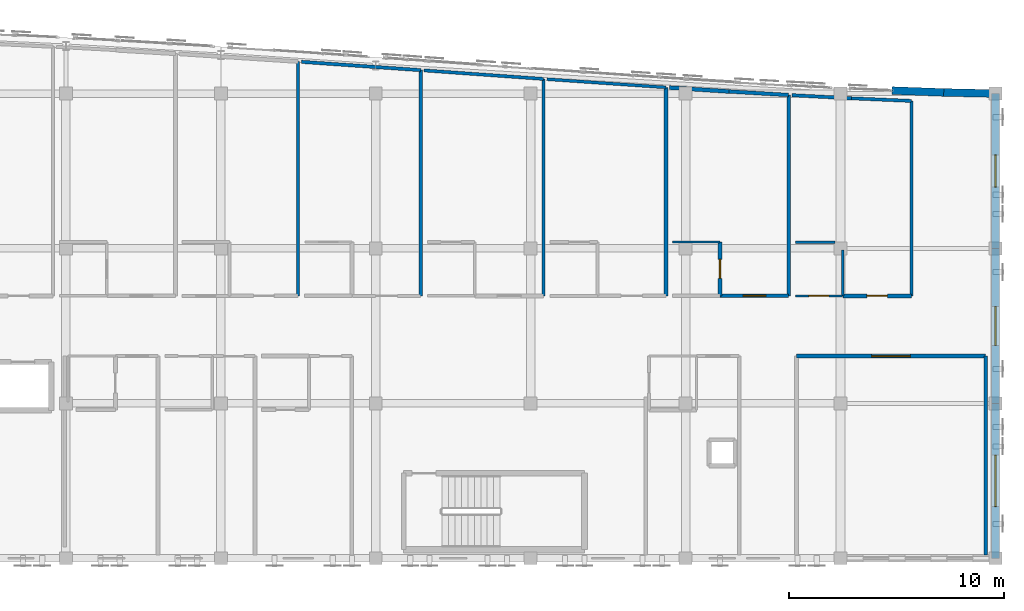
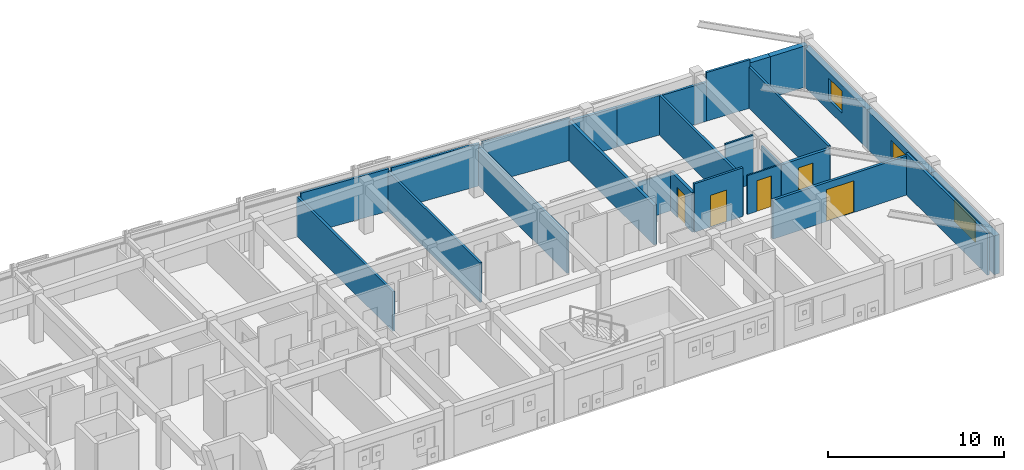
# One storey, part 46 of 51: 27 walls, 5 doors, 3 windows, 8 openings.
"""IFC4 building model written with IfcOpenShell, lengths in metres."""

from ifc_helpers import new_model, si_unit, direction, frame, frame_2d, origin, place, context, subcontext, project, spatial, rectangle, extrude, material, layer, layer_set, type_object, element, fill, save


model = new_model("IFC4")

# Units and contexts
model_context = context("Model", 3, precision=1e-05, world=origin(), true_north=direction((0.0, 1.0)))
body_context = subcontext(model_context, "Body", "Model", "MODEL_VIEW")
ifc_project = project(units=[si_unit("LENGTHUNIT", "METRE"), si_unit("AREAUNIT", "SQUARE_METRE"), si_unit("VOLUMEUNIT", "CUBIC_METRE"), si_unit("PLANEANGLEUNIT", "RADIAN"), si_unit("MASSUNIT", "GRAM", prefix="KILO")], contexts=[model_context])

# Site, building, storey
site_placement = place(None, origin())
site = spatial("IfcSite", under=ifc_project, at=site_placement, CompositionType="ELEMENT")
building_placement = place(site_placement, origin())
building = spatial("IfcBuilding", under=site, at=building_placement, Name="Carrowvane Square Congress Hotel", CompositionType="ELEMENT")
storey_placement = place(building_placement, frame((0.0, 0.0, 30.0)))
storey = spatial("IfcBuildingStorey", under=building, at=storey_placement, Name="L07", CompositionType="ELEMENT", Elevation=30.0)

# Walls
ifc_material_1 = material(Name="Glazed terracotta rainscreen", Category="masonry")
ifc_layer_1 = layer(ifc_material_1, 0.360107421875)
ifc_layer_set_1 = layer_set([ifc_layer_1], Name="Glazed terracotta rainscreen")
wall_type_1 = type_object("IfcWallType", Name="WL-EXT-TC360", PredefinedType="STANDARD", material=ifc_layer_set_1)
wall_1_placement = place(storey_placement, frame((158.0, 113.541015625, 0.0), z_axis=(0.0, 0.0, 1.0), x_axis=(0.99930757318, -0.037207179225, 0.0)))
element("IfcWall", 1, at=wall_1_placement, inside=storey, type_object=wall_type_1, Name="L07 exterior facade wall 509", PredefinedType="STANDARD", context=body_context, shape_type="SweptSolid", body=[
    extrude(rectangle(XDim=2.401611328125, YDim=0.360107421875, at=frame_2d((1.20068359375, 0.0))), origin(), (0.0, 0.0, 1.0), 2.8603515625),
])
wall_2_placement = place(storey_placement, frame((160.39990234375, 113.45166015625, 0.0), z_axis=(0.0, 0.0, 1.0), x_axis=(0.999767568547, -0.021559426766, 0.0)))
element("IfcWall", 2, at=wall_2_placement, inside=storey, type_object=wall_type_1, Name="L07 exterior facade wall 510", PredefinedType="STANDARD", context=body_context, shape_type="SweptSolid", body=[
    extrude(rectangle(XDim=2.400634765625, YDim=0.360107421875, at=frame_2d((1.2001953125, 0.0))), origin(), (0.0, 0.0, 1.0), 2.8603515625),
])

# Wall, opening, window
wall_3_placement = place(storey_placement, frame((162.800048828125, 113.39990234375, 0.0), z_axis=(0.0, 0.0, 1.0), x_axis=(0.0, -1.0, 0.0)))
wall_3 = element("IfcWall", 3, at=wall_3_placement, inside=storey, type_object=wall_type_1, Name="L07 exterior facade wall 511", PredefinedType="STANDARD", context=body_context, shape_type="SweptSolid", body=[
    extrude(rectangle(XDim=7.199951171875, YDim=0.360107421875, at=frame_2d((3.60009765625, 0.0))), origin(), (0.0, 0.0, 1.0), 2.695068359375),
])
opening_1_placement = place(wall_3_placement, frame((2.85009765625, 0.0, 0.75)))
opening_1 = element("IfcOpeningElement", 4, at=opening_1_placement, cuts=wall_3, Name="Opening W-15", PredefinedType="OPENING", context=body_context, shape_type="SweptSolid", body=[
    extrude(rectangle(XDim=1.5, YDim=1.5, at=frame_2d((0.75, 0.75))), frame((0.0, 0.18994140625, 0.0), z_axis=(0.0, -1.0, 0.0), x_axis=(1.0, 0.0, 0.0)), (0.0, 0.0, 1.0), 0.380126953125),
])
ifc_material_2 = material(Name="Double-glazed low-E glass", Category="glass")
window_type_1 = type_object("IfcWindowType", Name="WIN-15", PartitioningType="SINGLE_PANEL", PredefinedType="WINDOW", material=ifc_material_2)
window_1_placement = place(opening_1_placement, origin())
window_1 = element("IfcWindow", 5, at=window_1_placement, inside=storey, type_object=window_type_1, Name="L07 facade window 343", OverallHeight=1.5, OverallWidth=1.5, PartitioningType="SINGLE_PANEL", PredefinedType="WINDOW", context=body_context, shape_type="SweptSolid", body=[
    extrude(rectangle(XDim=1.5, YDim=1.5, at=frame_2d((0.75, 0.75))), frame((0.0, 0.030029296875, 0.0), z_axis=(0.0, -1.0, 0.0), x_axis=(1.0, 0.0, 0.0)), (0.0, 0.0, 1.0), 0.06005859375),
])
fill(opening_1, window_1)

wall_4_placement = place(storey_placement, frame((162.800048828125, 106.199951171875, 0.0), z_axis=(0.0, 0.0, 1.0), x_axis=(0.0, -1.0, 0.0)))
wall_4 = element("IfcWall", 6, at=wall_4_placement, inside=storey, type_object=wall_type_1, Name="L07 exterior facade wall 512", PredefinedType="STANDARD", context=body_context, shape_type="SweptSolid", body=[
    extrude(rectangle(XDim=7.199951171875, YDim=0.360107421875, at=frame_2d((3.60009765625, 0.0))), origin(), (0.0, 0.0, 1.0), 2.695068359375),
])
opening_2_placement = place(wall_4_placement, frame((2.699951171875, 0.0, 0.75)))
opening_2 = element("IfcOpeningElement", 7, at=opening_2_placement, cuts=wall_4, Name="Opening W-16", PredefinedType="OPENING", context=body_context, shape_type="SweptSolid", body=[
    extrude(rectangle(XDim=1.800048828125, YDim=1.5, at=frame_2d((0.89990234375, 0.75))), frame((0.0, 0.18994140625, 0.0), z_axis=(0.0, -1.0, 0.0), x_axis=(1.0, 0.0, 0.0)), (0.0, 0.0, 1.0), 0.380126953125),
])
ifc_material_3 = material(Name="Double-glazed low-E glass", Category="glass")
window_type_2 = type_object("IfcWindowType", Name="WIN-16", PartitioningType="SINGLE_PANEL", PredefinedType="WINDOW", material=ifc_material_3)
window_2_placement = place(opening_2_placement, origin())
window_2 = element("IfcWindow", 8, at=window_2_placement, inside=storey, type_object=window_type_2, Name="L07 facade window 344", OverallHeight=1.5, OverallWidth=1.800048828125, PartitioningType="SINGLE_PANEL", PredefinedType="WINDOW", context=body_context, shape_type="SweptSolid", body=[
    extrude(rectangle(XDim=1.800048828125, YDim=1.5, at=frame_2d((0.89990234375, 0.75))), frame((0.0, 0.030029296875, 0.0), z_axis=(0.0, -1.0, 0.0), x_axis=(1.0, 0.0, 0.0)), (0.0, 0.0, 1.0), 0.06005859375),
])
fill(opening_2, window_2)

wall_5_placement = place(storey_placement, frame((162.800048828125, 99.0, 0.0), z_axis=(0.0, 0.0, 1.0), x_axis=(0.0, -1.0, 0.0)))
wall_5 = element("IfcWall", 9, at=wall_5_placement, inside=storey, type_object=wall_type_1, Name="L07 exterior facade wall 513", PredefinedType="STANDARD", context=body_context, shape_type="SweptSolid", body=[
    extrude(rectangle(XDim=7.199951171875, YDim=0.360107421875, at=frame_2d((3.60009765625, 0.0))), origin(), (0.0, 0.0, 1.0), 2.695068359375),
])
opening_3_placement = place(wall_5_placement, frame((2.39990234375, 0.0, 0.75)))
opening_3 = element("IfcOpeningElement", 10, at=opening_3_placement, cuts=wall_5, Name="Opening W-17", PredefinedType="OPENING", context=body_context, shape_type="SweptSolid", body=[
    extrude(rectangle(XDim=2.39990234375, YDim=1.5, at=frame_2d((1.199951171875, 0.75))), frame((0.0, 0.18994140625, 0.0), z_axis=(0.0, -1.0, 0.0), x_axis=(1.0, 0.0, 0.0)), (0.0, 0.0, 1.0), 0.380126953125),
])
ifc_material_4 = material(Name="Double-glazed low-E glass", Category="glass")
window_type_3 = type_object("IfcWindowType", Name="WIN-17", PartitioningType="SINGLE_PANEL", PredefinedType="WINDOW", material=ifc_material_4)
window_3_placement = place(opening_3_placement, origin())
window_3 = element("IfcWindow", 11, at=window_3_placement, inside=storey, type_object=window_type_3, Name="L07 facade window 345", OverallHeight=1.5, OverallWidth=2.39990234375, PartitioningType="SINGLE_PANEL", PredefinedType="WINDOW", context=body_context, shape_type="SweptSolid", body=[
    extrude(rectangle(XDim=2.39990234375, YDim=1.5, at=frame_2d((1.199951171875, 0.75))), frame((0.0, 0.030029296875, 0.0), z_axis=(0.0, -1.0, 0.0), x_axis=(1.0, 0.0, 0.0)), (0.0, 0.0, 1.0), 0.06005859375),
])
fill(opening_3, window_3)

# Walls
ifc_material_5 = material(Name="Acoustic gypsum board", Category="gypsum")
ifc_layer_2 = layer(ifc_material_5, 0.155029296875)
ifc_layer_set_2 = layer_set([ifc_layer_2], Name="Acoustic gypsum board")
wall_type_2 = type_object("IfcWallType", Name="WL-FIR-155", PredefinedType="PARTITIONING", material=ifc_layer_set_2)
wall_6_placement = place(storey_placement, frame((162.35009765625, 101.199951171875, 0.0), z_axis=(0.0, 0.0, 1.0), x_axis=(0.0, -1.0, 0.0)))
element("IfcWall", 12, at=wall_6_placement, inside=storey, type_object=wall_type_2, Name="L07 L07 VIP Concierge Lounge partition", PredefinedType="PARTITIONING", context=body_context, shape_type="SweptSolid", body=[
    extrude(rectangle(XDim=9.239990234375, YDim=0.155029296875, at=frame_2d((4.6201171875, 0.0))), origin(), (0.0, 0.0, 1.0), 2.8603515625),
])
wall_7_placement = place(storey_placement, frame((130.389892578125, 114.885986328125, 0.0), z_axis=(0.0, 0.0, 1.0), x_axis=(0.0, -1.0, 0.0)))
element("IfcWall", 13, at=wall_7_placement, inside=storey, type_object=wall_type_2, Name="L07 Parkview Suite 0723 partition", PredefinedType="PARTITIONING", context=body_context, shape_type="SweptSolid", body=[
    extrude(rectangle(XDim=10.885986328125, YDim=0.155029296875, at=frame_2d((5.44287109375, 0.0))), origin(), (0.0, 0.0, 1.0), 2.7451171875),
])
wall_8_placement = place(storey_placement, frame((130.550048828125, 114.875244140625, 0.0), z_axis=(0.0, 0.0, 1.0), x_axis=(0.997557251982, -0.069853625657, 0.0)))
element("IfcWall", 14, at=wall_8_placement, inside=storey, type_object=wall_type_2, Name="L07 Parkview Suite 0724 partition", PredefinedType="PARTITIONING", context=body_context, shape_type="SweptSolid", body=[
    extrude(rectangle(XDim=5.5537109375, YDim=0.155029296875, at=frame_2d((2.77685546875, 0.0))), origin(), (0.0, 0.0, 1.0), 2.935546875),
])
wall_9_placement = place(storey_placement, frame((153.18994140625, 113.33203125, 0.0), z_axis=(0.0, 0.0, 1.0), x_axis=(0.0, -1.0, 0.0)))
element("IfcWall", 15, at=wall_9_placement, inside=storey, type_object=wall_type_2, Name="L07 Parkview Suite 0727 partition", PredefinedType="PARTITIONING", context=body_context, shape_type="SweptSolid", body=[
    extrude(rectangle(XDim=9.33203125, YDim=0.155029296875, at=frame_2d((4.666015625, 0.0))), origin(), (0.0, 0.0, 1.0), 2.7451171875),
])
wall_10_placement = place(storey_placement, frame((153.35009765625, 113.3232421875, 0.0), z_axis=(0.0, 0.0, 1.0), x_axis=(0.9986369707, -0.052193876575, 0.0)))
element("IfcWall", 16, at=wall_10_placement, inside=storey, type_object=wall_type_2, Name="L07 Parkview Suite 0728 partition", PredefinedType="PARTITIONING", context=body_context, shape_type="SweptSolid", body=[
    extrude(rectangle(XDim=2.773681640625, YDim=0.155029296875, at=frame_2d((1.38671875, 0.0))), origin(), (0.0, 0.0, 1.0), 2.695068359375),
])

# Wall, opening, door
ifc_material_6 = material(Name="Acoustic gypsum board", Category="gypsum")
ifc_layer_3 = layer(ifc_material_6, 0.169921875)
ifc_layer_set_3 = layer_set([ifc_layer_3], Name="Acoustic gypsum board")
wall_type_3 = type_object("IfcWallType", Name="WL-FIR-170", PredefinedType="PARTITIONING", material=ifc_layer_set_3)
wall_11_placement = place(storey_placement, frame((153.550048828125, 101.199951171875, 0.0), z_axis=(0.0, 0.0, 1.0), x_axis=(1.0, 0.0, 0.0)))
wall_11 = element("IfcWall", 17, at=wall_11_placement, inside=storey, type_object=wall_type_3, Name="L07 L07 VIP Concierge Lounge partition", PredefinedType="PARTITIONING", context=body_context, shape_type="SweptSolid", body=[
    extrude(rectangle(XDim=8.800048828125, YDim=0.169921875, at=frame_2d((4.39990234375, 0.0))), origin(), (0.0, 0.0, 1.0), 2.695068359375),
])
opening_4_placement = place(wall_11_placement, frame((3.5, 0.0, 0.0)))
opening_4 = element("IfcOpeningElement", 18, at=opening_4_placement, cuts=wall_11, Name="Opening FD-05", PredefinedType="OPENING", context=body_context, shape_type="SweptSolid", body=[
    extrude(rectangle(XDim=1.800048828125, YDim=2.199951171875, at=frame_2d((0.89990234375, 1.10009765625))), frame((0.0, 0.094970703125, 0.0), z_axis=(0.0, -1.0, 0.0), x_axis=(1.0, 0.0, 0.0)), (0.0, 0.0, 1.0), 0.18994140625),
])
ifc_material_7 = material(Name="European oak timber", Category="wood")
door_type_1 = type_object("IfcDoorType", Name="DR-FD60-1800x2200", OperationType="DOUBLE_DOOR_SINGLE_SWING", PredefinedType="DOOR", material=ifc_material_7)
door_1_placement = place(opening_4_placement, origin())
door_1 = element("IfcDoor", 19, at=door_1_placement, inside=storey, type_object=door_type_1, Name="L07 L07 VIP Concierge Lounge entrance door", OperationType="DOUBLE_DOOR_SINGLE_SWING", OverallHeight=2.199951171875, OverallWidth=1.800048828125, PredefinedType="DOOR", context=body_context, shape_type="SweptSolid", body=[
    extrude(rectangle(XDim=1.800048828125, YDim=2.199951171875, at=frame_2d((0.89990234375, 1.10009765625))), frame((0.0, 0.02490234375, 0.0), z_axis=(0.0, -1.0, 0.0), x_axis=(1.0, 0.0, 0.0)), (0.0, 0.0, 1.0), 0.050048828125),
])
fill(opening_4, door_1)

# Walls
wall_12_placement = place(storey_placement, frame((150.419921875, 113.497314453125, 0.0), z_axis=(0.0, 0.0, 1.0), x_axis=(0.998224568203, -0.059562668136, 0.0)))
element("IfcWall", 20, at=wall_12_placement, inside=storey, type_object=wall_type_3, Name="L07 Parkview Suite 0727 partition", PredefinedType="PARTITIONING", context=body_context, shape_type="SweptSolid", body=[
    extrude(rectangle(XDim=2.77490234375, YDim=0.169921875, at=frame_2d((1.387451171875, 0.0))), origin(), (0.0, 0.0, 1.0), 2.7451171875),
])
ifc_material_8 = material(Name="Acoustic gypsum board", Category="gypsum")
ifc_layer_4 = layer(ifc_material_8, 0.18505859375)
ifc_layer_set_4 = layer_set([ifc_layer_4], Name="Acoustic gypsum board")
wall_type_4 = type_object("IfcWallType", Name="WL-FIR-185", PredefinedType="PARTITIONING", material=ifc_layer_set_4)
wall_13_placement = place(storey_placement, frame((147.489990234375, 113.68603515625, 0.0), z_axis=(0.0, 0.0, 1.0), x_axis=(0.0, -1.0, 0.0)))
element("IfcWall", 21, at=wall_13_placement, inside=storey, type_object=wall_type_4, Name="L07 Parkview Suite 0726 partition", PredefinedType="PARTITIONING", context=body_context, shape_type="SweptSolid", body=[
    extrude(rectangle(XDim=9.68603515625, YDim=0.18505859375, at=frame_2d((4.843017578125, 0.0))), origin(), (0.0, 0.0, 1.0), 2.7451171875),
])

# Wall, opening, door
wall_14_placement = place(storey_placement, frame((150.0, 106.5, 0.0), z_axis=(0.0, 0.0, 1.0), x_axis=(0.0, -1.0, 0.0)))
wall_14 = element("IfcWall", 22, at=wall_14_placement, inside=storey, type_object=wall_type_4, Name="L07 En-suite Bathroom 0727 partition", PredefinedType="PARTITIONING", context=body_context, shape_type="SweptSolid", body=[
    extrude(rectangle(XDim=2.5, YDim=0.18505859375, at=frame_2d((1.25, 0.0))), origin(), (0.0, 0.0, 1.0), 2.7451171875),
])
opening_5_placement = place(wall_14_placement, frame((0.804931640625, 0.0, 0.0)))
opening_5 = element("IfcOpeningElement", 23, at=opening_5_placement, cuts=wall_14, Name="Opening ID-16", PredefinedType="OPENING", context=body_context, shape_type="SweptSolid", body=[
    extrude(rectangle(XDim=0.889892578125, YDim=2.090087890625, at=frame_2d((0.44482421875, 1.044921875))), frame((0.0, 0.1025390625, 0.0), z_axis=(0.0, -1.0, 0.0), x_axis=(1.0, 0.0, 0.0)), (0.0, 0.0, 1.0), 0.205078125),
])
ifc_material_9 = material(Name="European oak timber", Category="wood")
door_type_2 = type_object("IfcDoorType", Name="DR-INT-0890x2090", OperationType="NOTDEFINED", PredefinedType="DOOR", material=ifc_material_9)
door_2_placement = place(opening_5_placement, origin())
door_2 = element("IfcDoor", 24, at=door_2_placement, inside=storey, type_object=door_type_2, Name="L07 En-suite Bathroom 0727 door", OperationType="SINGLE_SWING_LEFT", OverallHeight=2.090087890625, OverallWidth=0.889892578125, PredefinedType="DOOR", context=body_context, shape_type="SweptSolid", body=[
    extrude(rectangle(XDim=0.889892578125, YDim=2.090087890625, at=frame_2d((0.44482421875, 1.044921875))), frame((0.0, 0.02490234375, 0.0), z_axis=(0.0, -1.0, 0.0), x_axis=(1.0, 0.0, 0.0)), (0.0, 0.0, 1.0), 0.050048828125),
])
fill(opening_5, door_2)

# Wall
wall_15_placement = place(storey_placement, frame((147.64990234375, 113.67529296875, 0.0), z_axis=(0.0, 0.0, 1.0), x_axis=(0.997942227438, -0.064119503244, 0.0)))
element("IfcWall", 25, at=wall_15_placement, inside=storey, type_object=wall_type_4, Name="L07 Parkview Suite 0727 partition", PredefinedType="PARTITIONING", context=body_context, shape_type="SweptSolid", body=[
    extrude(rectangle(XDim=2.775634765625, YDim=0.18505859375, at=frame_2d((1.3876953125, 0.0))), origin(), (0.0, 0.0, 1.0), 2.7451171875),
])

# Wall, opening, door
wall_16_placement = place(storey_placement, frame((158.889892578125, 104.0, 0.0), z_axis=(0.0, 0.0, 1.0), x_axis=(-1.0, 0.0, 0.0)))
wall_16 = element("IfcWall", 26, at=wall_16_placement, inside=storey, type_object=wall_type_4, Name="L07 Parkview Suite 0728 partition", PredefinedType="PARTITIONING", context=body_context, shape_type="SweptSolid", body=[
    extrude(rectangle(XDim=3.179931640625, YDim=0.18505859375, at=frame_2d((1.58984375, 0.0))), origin(), (0.0, 0.0, 1.0), 2.695068359375),
])
opening_6_placement = place(wall_16_placement, frame((1.114990234375, 0.0, 0.0)))
opening_6 = element("IfcOpeningElement", 27, at=opening_6_placement, cuts=wall_16, Name="Opening FD-06", PredefinedType="OPENING", context=body_context, shape_type="SweptSolid", body=[
    extrude(rectangle(XDim=0.949951171875, YDim=2.10009765625, at=frame_2d((0.47509765625, 1.050048828125))), frame((0.0, 0.1025390625, 0.0), z_axis=(0.0, -1.0, 0.0), x_axis=(1.0, 0.0, 0.0)), (0.0, 0.0, 1.0), 0.205078125),
])
ifc_material_10 = material(Name="European oak timber", Category="wood")
door_type_3 = type_object("IfcDoorType", Name="DR-FD30-0950x2100", OperationType="NOTDEFINED", PredefinedType="DOOR", material=ifc_material_10)
door_3_placement = place(opening_6_placement, origin())
door_3 = element("IfcDoor", 28, at=door_3_placement, inside=storey, type_object=door_type_3, Name="L07 Parkview Suite 0728 entrance door", OperationType="SINGLE_SWING_RIGHT", OverallHeight=2.10009765625, OverallWidth=0.949951171875, PredefinedType="DOOR", context=body_context, shape_type="SweptSolid", body=[
    extrude(rectangle(XDim=0.949951171875, YDim=2.10009765625, at=frame_2d((0.47509765625, 1.050048828125))), frame((0.0, 0.02490234375, 0.0), z_axis=(0.0, -1.0, 0.0), x_axis=(1.0, 0.0, 0.0)), (0.0, 0.0, 1.0), 0.050048828125),
])
fill(opening_6, door_3)

# Wall
ifc_material_11 = material(Name="Acoustic gypsum board", Category="gypsum")
ifc_layer_5 = layer(ifc_material_11, 0.097900390625)
ifc_layer_set_5 = layer_set([ifc_layer_5], Name="Acoustic gypsum board")
wall_type_5 = type_object("IfcWallType", Name="WL-PRT-098", PredefinedType="PARTITIONING", material=ifc_layer_set_5)
wall_17_placement = place(storey_placement, frame((147.800048828125, 106.5, 0.0), z_axis=(0.0, 0.0, 1.0), x_axis=(1.0, 0.0, 0.0)))
element("IfcWall", 29, at=wall_17_placement, inside=storey, type_object=wall_type_5, Name="L07 En-suite Bathroom 0727 partition", PredefinedType="PARTITIONING", context=body_context, shape_type="SweptSolid", body=[
    extrude(rectangle(XDim=2.199951171875, YDim=0.097900390625, at=frame_2d((1.10009765625, 0.0))), origin(), (0.0, 0.0, 1.0), 2.695068359375),
])

# Wall, opening, door
wall_18_placement = place(storey_placement, frame((155.699951171875, 104.0, 0.0), z_axis=(0.0, 0.0, 1.0), x_axis=(-1.0, 0.0, 0.0)))
wall_18 = element("IfcWall", 30, at=wall_18_placement, inside=storey, type_object=wall_type_5, Name="L07 En-suite Bathroom 0728 partition", PredefinedType="PARTITIONING", context=body_context, shape_type="SweptSolid", body=[
    extrude(rectangle(XDim=2.199951171875, YDim=0.097900390625, at=frame_2d((1.10009765625, 0.0))), origin(), (0.0, 0.0, 1.0), 2.695068359375),
])
opening_7_placement = place(wall_18_placement, frame((0.635009765625, 0.0, 0.0)))
opening_7 = element("IfcOpeningElement", 31, at=opening_7_placement, cuts=wall_18, Name="Opening ID-18", PredefinedType="OPENING", context=body_context, shape_type="SweptSolid", body=[
    extrude(rectangle(XDim=0.929931640625, YDim=2.1298828125, at=frame_2d((0.46484375, 1.06494140625))), frame((0.0, 0.058837890625, 0.0), z_axis=(0.0, -1.0, 0.0), x_axis=(1.0, 0.0, 0.0)), (0.0, 0.0, 1.0), 0.117919921875),
])
ifc_material_12 = material(Name="European oak timber", Category="wood")
door_type_4 = type_object("IfcDoorType", Name="DR-INT-0930x2130", OperationType="NOTDEFINED", PredefinedType="DOOR", material=ifc_material_12)
door_4_placement = place(opening_7_placement, origin())
door_4 = element("IfcDoor", 32, at=door_4_placement, inside=storey, type_object=door_type_4, Name="L07 En-suite Bathroom 0728 door", OperationType="SINGLE_SWING_LEFT", OverallHeight=2.1298828125, OverallWidth=0.929931640625, PredefinedType="DOOR", context=body_context, shape_type="SweptSolid", body=[
    extrude(rectangle(XDim=0.929931640625, YDim=2.1298828125, at=frame_2d((0.46484375, 1.06494140625))), frame((0.0, 0.02490234375, 0.0), z_axis=(0.0, -1.0, 0.0), x_axis=(1.0, 0.0, 0.0)), (0.0, 0.0, 1.0), 0.050048828125),
])
fill(opening_7, door_4)

# Walls
ifc_material_13 = material(Name="Acoustic gypsum board", Category="gypsum")
ifc_layer_6 = layer(ifc_material_13, 0.10791015625)
ifc_layer_set_6 = layer_set([ifc_layer_6], Name="Acoustic gypsum board")
wall_type_6 = type_object("IfcWallType", Name="WL-PRT-108", PredefinedType="PARTITIONING", material=ifc_layer_set_6)
wall_19_placement = place(storey_placement, frame((155.699951171875, 106.139892578125, 0.0), z_axis=(0.0, 0.0, 1.0), x_axis=(0.0, -1.0, 0.0)))
element("IfcWall", 33, at=wall_19_placement, inside=storey, type_object=wall_type_6, Name="L07 En-suite Bathroom 0728 partition", PredefinedType="PARTITIONING", context=body_context, shape_type="SweptSolid", body=[
    extrude(rectangle(XDim=2.139892578125, YDim=0.10791015625, at=frame_2d((1.06982421875, 0.0))), origin(), (0.0, 0.0, 1.0), 2.695068359375),
])
ifc_material_14 = material(Name="Acoustic gypsum board", Category="gypsum")
ifc_layer_7 = layer(ifc_material_14, 0.117919921875)
ifc_layer_set_7 = layer_set([ifc_layer_7], Name="Acoustic gypsum board")
wall_type_7 = type_object("IfcWallType", Name="WL-PRT-118", PredefinedType="PARTITIONING", material=ifc_layer_set_7)
wall_20_placement = place(storey_placement, frame((153.5, 106.5, 0.0), z_axis=(0.0, 0.0, 1.0), x_axis=(1.0, 0.0, 0.0)))
element("IfcWall", 34, at=wall_20_placement, inside=storey, type_object=wall_type_7, Name="L07 En-suite Bathroom 0728 partition", PredefinedType="PARTITIONING", context=body_context, shape_type="SweptSolid", body=[
    extrude(rectangle(XDim=1.840087890625, YDim=0.117919921875, at=frame_2d((0.919921875, 0.0))), origin(), (0.0, 0.0, 1.0), 3.360107421875),
])
ifc_material_15 = material(Name="Acoustic gypsum board", Category="gypsum")
ifc_layer_8 = layer(ifc_material_15, 0.137939453125)
ifc_layer_set_8 = layer_set([ifc_layer_8], Name="Acoustic gypsum board")
wall_type_8 = type_object("IfcWallType", Name="WL-PRT-138", PredefinedType="PARTITIONING", material=ifc_layer_set_8)
wall_21_placement = place(storey_placement, frame((141.7900390625, 114.07958984375, 0.0), z_axis=(0.0, 0.0, 1.0), x_axis=(0.0, -1.0, 0.0)))
element("IfcWall", 35, at=wall_21_placement, inside=storey, type_object=wall_type_8, Name="L07 Parkview Suite 0725 partition", PredefinedType="PARTITIONING", context=body_context, shape_type="SweptSolid", body=[
    extrude(rectangle(XDim=10.07958984375, YDim=0.137939453125, at=frame_2d((5.039794921875, 0.0))), origin(), (0.0, 0.0, 1.0), 2.7451171875),
])
wall_22_placement = place(storey_placement, frame((141.949951171875, 114.068115234375, 0.0), z_axis=(0.0, 0.0, 1.0), x_axis=(0.997630224365, -0.068803600438, 0.0)))
element("IfcWall", 36, at=wall_22_placement, inside=storey, type_object=wall_type_8, Name="L07 Parkview Suite 0726 partition", PredefinedType="PARTITIONING", context=body_context, shape_type="SweptSolid", body=[
    extrude(rectangle(XDim=5.55322265625, YDim=0.137939453125, at=frame_2d((2.776611328125, 0.0))), origin(), (0.0, 0.0, 1.0), 2.935546875),
])
wall_23_placement = place(storey_placement, frame((158.889892578125, 113.057861328125, 0.0), z_axis=(0.0, 0.0, 1.0), x_axis=(0.0, -1.0, 0.0)))
element("IfcWall", 37, at=wall_23_placement, inside=storey, type_object=wall_type_8, Name="L07 Parkview Suite 0728 partition", PredefinedType="PARTITIONING", context=body_context, shape_type="SweptSolid", body=[
    extrude(rectangle(XDim=9.057861328125, YDim=0.137939453125, at=frame_2d((4.52880859375, 0.0))), origin(), (0.0, 0.0, 1.0), 2.8603515625),
])
ifc_material_16 = material(Name="Acoustic gypsum board", Category="gypsum")
ifc_layer_9 = layer(ifc_material_16, 0.14794921875)
ifc_layer_set_9 = layer_set([ifc_layer_9], Name="Acoustic gypsum board")
wall_type_9 = type_object("IfcWallType", Name="WL-PRT-148", PredefinedType="PARTITIONING", material=ifc_layer_set_9)
wall_24_placement = place(storey_placement, frame((136.090087890625, 114.4873046875, 0.0), z_axis=(0.0, 0.0, 1.0), x_axis=(0.0, -1.0, 0.0)))
element("IfcWall", 38, at=wall_24_placement, inside=storey, type_object=wall_type_9, Name="L07 Parkview Suite 0724 partition", PredefinedType="PARTITIONING", context=body_context, shape_type="SweptSolid", body=[
    extrude(rectangle(XDim=10.4873046875, YDim=0.14794921875, at=frame_2d((5.24365234375, 0.0))), origin(), (0.0, 0.0, 1.0), 2.7451171875),
])
wall_25_placement = place(storey_placement, frame((136.25, 114.475830078125, 0.0), z_axis=(0.0, 0.0, 1.0), x_axis=(0.997452001605, -0.071340763203, 0.0)))
element("IfcWall", 39, at=wall_25_placement, inside=storey, type_object=wall_type_9, Name="L07 Parkview Suite 0725 partition", PredefinedType="PARTITIONING", context=body_context, shape_type="SweptSolid", body=[
    extrude(rectangle(XDim=5.55419921875, YDim=0.14794921875, at=frame_2d((2.777099609375, 0.0))), origin(), (0.0, 0.0, 1.0), 2.935546875),
])

# Wall, opening, door
wall_26_placement = place(storey_placement, frame((153.18994140625, 104.0, 0.0), z_axis=(0.0, 0.0, 1.0), x_axis=(-1.0, 0.0, 0.0)))
wall_26 = element("IfcWall", 40, at=wall_26_placement, inside=storey, type_object=wall_type_9, Name="L07 Parkview Suite 0727 partition", PredefinedType="PARTITIONING", context=body_context, shape_type="SweptSolid", body=[
    extrude(rectangle(XDim=3.179931640625, YDim=0.14794921875, at=frame_2d((1.58984375, 0.0))), origin(), (0.0, 0.0, 1.0), 3.360107421875),
])
opening_8_placement = place(wall_26_placement, frame((1.06005859375, 0.0, 0.0)))
opening_8 = element("IfcOpeningElement", 41, at=opening_8_placement, cuts=wall_26, Name="Opening FD-09", PredefinedType="OPENING", context=body_context, shape_type="SweptSolid", body=[
    extrude(rectangle(XDim=1.06005859375, YDim=2.199951171875, at=frame_2d((0.530029296875, 1.10009765625))), frame((0.0, 0.083984375, 0.0), z_axis=(0.0, -1.0, 0.0), x_axis=(1.0, 0.0, 0.0)), (0.0, 0.0, 1.0), 0.16796875),
])
ifc_material_17 = material(Name="European oak timber", Category="wood")
door_type_5 = type_object("IfcDoorType", Name="DR-FD30-1060x2200", OperationType="NOTDEFINED", PredefinedType="DOOR", material=ifc_material_17)
door_5_placement = place(opening_8_placement, origin())
door_5 = element("IfcDoor", 42, at=door_5_placement, inside=storey, type_object=door_type_5, Name="L07 Parkview Suite 0727 entrance door", OperationType="SINGLE_SWING_RIGHT", OverallHeight=2.199951171875, OverallWidth=1.06005859375, PredefinedType="DOOR", context=body_context, shape_type="SweptSolid", body=[
    extrude(rectangle(XDim=1.06005859375, YDim=2.199951171875, at=frame_2d((0.530029296875, 1.10009765625))), frame((0.0, 0.02490234375, 0.0), z_axis=(0.0, -1.0, 0.0), x_axis=(1.0, 0.0, 0.0)), (0.0, 0.0, 1.0), 0.050048828125),
])
fill(opening_8, door_5)

# Wall
wall_27_placement = place(storey_placement, frame((156.1201171875, 113.178466796875, 0.0), z_axis=(0.0, 0.0, 1.0), x_axis=(0.999053331641, -0.043502190025, 0.0)))
element("IfcWall", 43, at=wall_27_placement, inside=storey, type_object=wall_type_9, Name="L07 Parkview Suite 0728 partition", PredefinedType="PARTITIONING", context=body_context, shape_type="SweptSolid", body=[
    extrude(rectangle(XDim=2.7724609375, YDim=0.14794921875, at=frame_2d((1.38623046875, 0.0))), origin(), (0.0, 0.0, 1.0), 3.360107421875),
])

save(model, "model.ifc")
